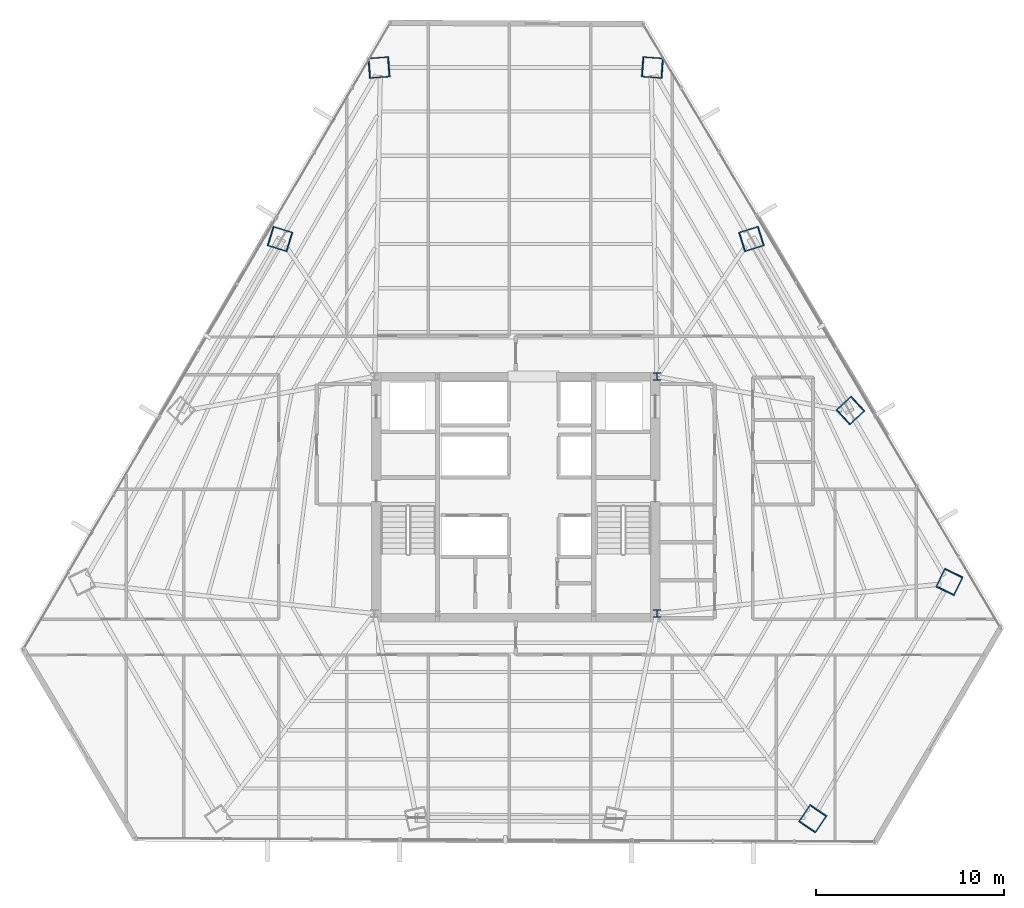
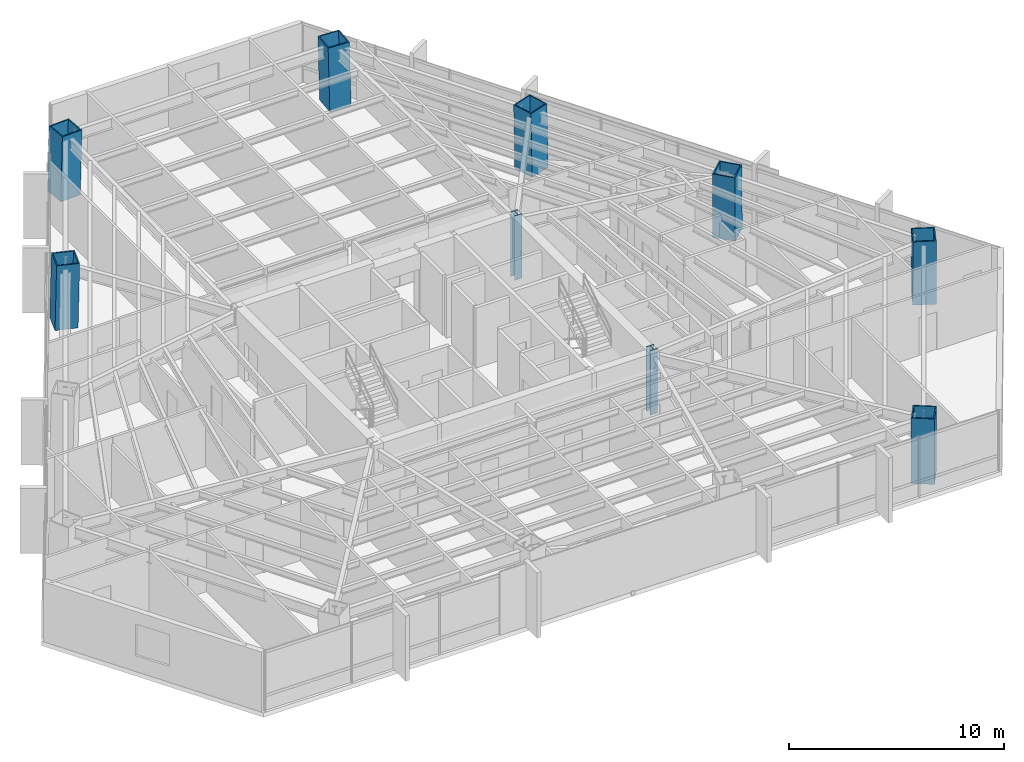
# One storey, part 3 of 36: 9 columns.
"""IFC4 building model written with IfcOpenShell, lengths in metres."""

from ifc_helpers import new_model, si_unit, direction, frame, origin, origin_2d, place, context, subcontext, project, spatial, hollow_rectangle, i_section, extrude, source, transform, mapped, material, material_profile, profile_set, type_object, type_shapes, element, save


model = new_model("IFC4")

# Units and contexts
model_context = context("Model", 3, precision=1e-05, world=origin(), true_north=direction((0.0, 1.0)))
body_context = subcontext(model_context, "Body", "Model", "MODEL_VIEW")
ifc_project = project(units=[si_unit("LENGTHUNIT", "METRE"), si_unit("AREAUNIT", "SQUARE_METRE"), si_unit("VOLUMEUNIT", "CUBIC_METRE"), si_unit("PLANEANGLEUNIT", "RADIAN"), si_unit("MASSUNIT", "GRAM", prefix="KILO")], contexts=[model_context])

# Site, building, storey
site_placement = place(None, origin())
site = spatial("IfcSite", under=ifc_project, at=site_placement, CompositionType="ELEMENT")
building_placement = place(site_placement, origin())
building = spatial("IfcBuilding", under=site, at=building_placement, Name="Caelisora Broadcast Tower", CompositionType="ELEMENT")
storey_placement = place(building_placement, frame((0.0, 0.0, 112.699951171875)))
storey = spatial("IfcBuildingStorey", under=building, at=storey_placement, Name="L29", CompositionType="ELEMENT", Elevation=112.699951171875)

# Columns
ifc_material_1 = material(Name="Steel Grade 350 L15 (AS/NZS 3678)", Category="steel")
ifc_material_profile_1 = material_profile(ifc_material_1, hollow_rectangle(XDim=1.10009765625, YDim=1.10009765625, WallThickness=0.06005859375, at=origin_2d()), Name="Steel Grade 350 L15 (AS/NZS 3678)")
ifc_profile_set_1 = profile_set([ifc_material_profile_1], Name="Steel Grade 350 L15 (AS/NZS 3678)")
column_type_1 = type_object("IfcColumnType", Name="MC03", PredefinedType="COLUMN", material=ifc_profile_set_1)
shared_shape_1 = source(origin(), body_context, "Body", "SweptSolid", [
    extrude(hollow_rectangle(XDim=1.10009765625, YDim=1.10009765625, WallThickness=0.06005859375, at=origin_2d()), origin(), (0.0, 0.0, 1.0), 3.65087890625),
])
for number, where, z_axis, x_axis, name in (
    (1, (25.4619140625, 37.31201171875, 0.0), (0.01939269685, -0.00601842316, 0.999793829693), (0.296399214872, 0.955064136811, 0.0), "L29 column MC03"),
    (2, (55.797607421875, 28.202392578125, 0.0), (-0.014912316331, -0.013775502979, 0.999793907933), (0.678553674548, -0.734550822447, 0.0), "L29 column MC03"),
    (3, (50.5380859375, 37.31201171875, 0.0), (-0.01939269685, -0.00601842316, 0.999793829693), (0.296399214872, -0.955064136811, 0.0), "L29 column MC03"),
):
    element("IfcColumn", number, at=place(storey_placement, frame(where, z_axis=z_axis, x_axis=x_axis)), inside=storey, type_object=column_type_1, Name=name, PredefinedType="COLUMN", context=body_context, shape_type="MappedRepresentation", body=[
        mapped(shared_shape_1, transform((0.0, 0.0, 0.0), scale=1.0)),
    ])
ifc_material_2 = material(Name="Steel Grade 350 (AS/NZS 3679.2)", Category="steel")
ifc_material_profile_2 = material_profile(ifc_material_2, i_section(OverallWidth=0.39990234375, OverallDepth=0.39990234375, WebThickness=0.02001953125, FlangeThickness=0.031982421875, at=origin_2d()), Name="Steel Grade 350 (AS/NZS 3679.2)")
ifc_profile_set_2 = profile_set([ifc_material_profile_2], Name="Steel Grade 350 (AS/NZS 3679.2)")
column_type_2 = type_object("IfcColumnType", Name="CC02", PredefinedType="COLUMN", material=ifc_profile_set_2)
shared_shape_2 = source(origin(), body_context, "Body", "SweptSolid", [
    extrude(i_section(OverallWidth=0.39990234375, OverallDepth=0.39990234375, WebThickness=0.02001953125, FlangeThickness=0.031982421875, at=origin_2d()), origin(), (0.0, 0.0, 1.0), 3.650146484375),
])
type_shapes(column_type_2, [shared_shape_2])
for number, where, z_axis, x_axis, name in (
    (4, (45.5, 17.39990234375, 0.0), (0.0, 0.0, 1.0), (1.0, 0.0, 0.0), "L29 column CC02"),
    (5, (45.5, 30.0, 0.0), (0.0, 0.0, 1.0), (1.0, 0.0, 0.0), "L29 column CC02"),
):
    element("IfcColumn", number, at=place(storey_placement, frame(where, z_axis=z_axis, x_axis=x_axis)), inside=storey, type_object=column_type_2, Name=name, PredefinedType="COLUMN", context=body_context, shape_type="MappedRepresentation", body=[
        mapped(shared_shape_2, transform((0.0, 0.0, 0.0), scale=1.0)),
    ])
shared_shape_3 = source(origin(), body_context, "Body", "SweptSolid", [
    extrude(hollow_rectangle(XDim=1.10009765625, YDim=1.10009765625, WallThickness=0.06005859375, at=origin_2d()), origin(), (0.0, 0.0, 1.0), 3.651123046875),
])
type_shapes(column_type_1, [shared_shape_1, shared_shape_3])
for number, where, z_axis, x_axis, name in (
    (6, (45.27880859375, 46.421875, 0.0), (-0.023937988913, 0.001738513161, 0.999711933638), (-0.072434920849, -0.997373140926, 0.0), "L29 column MC03"),
    (7, (30.72119140625, 46.421875, 0.0), (0.023937988913, 0.001738513161, 0.999711933638), (-0.072434920849, 0.997373140926, 0.0), "L29 column MC03"),
    (8, (53.778564453125, 6.485595703125, 0.0), (0.013440068782, 0.019792340097, 0.999713772949), (-0.827290216258, 0.561774775229, 0.0), "L29 column MC03"),
    (9, (61.05712890625, 19.092529296875, 0.0), (-0.010431098089, -0.021530856313, 0.999713766245), (0.899947055326, -0.435999194506, 0.0), "L29 column MC03"),
):
    element("IfcColumn", number, at=place(storey_placement, frame(where, z_axis=z_axis, x_axis=x_axis)), inside=storey, type_object=column_type_1, Name=name, PredefinedType="COLUMN", context=body_context, shape_type="MappedRepresentation", body=[
        mapped(shared_shape_3, transform((0.0, 0.0, 0.0), scale=1.0)),
    ])

save(model, "model.ifc")
